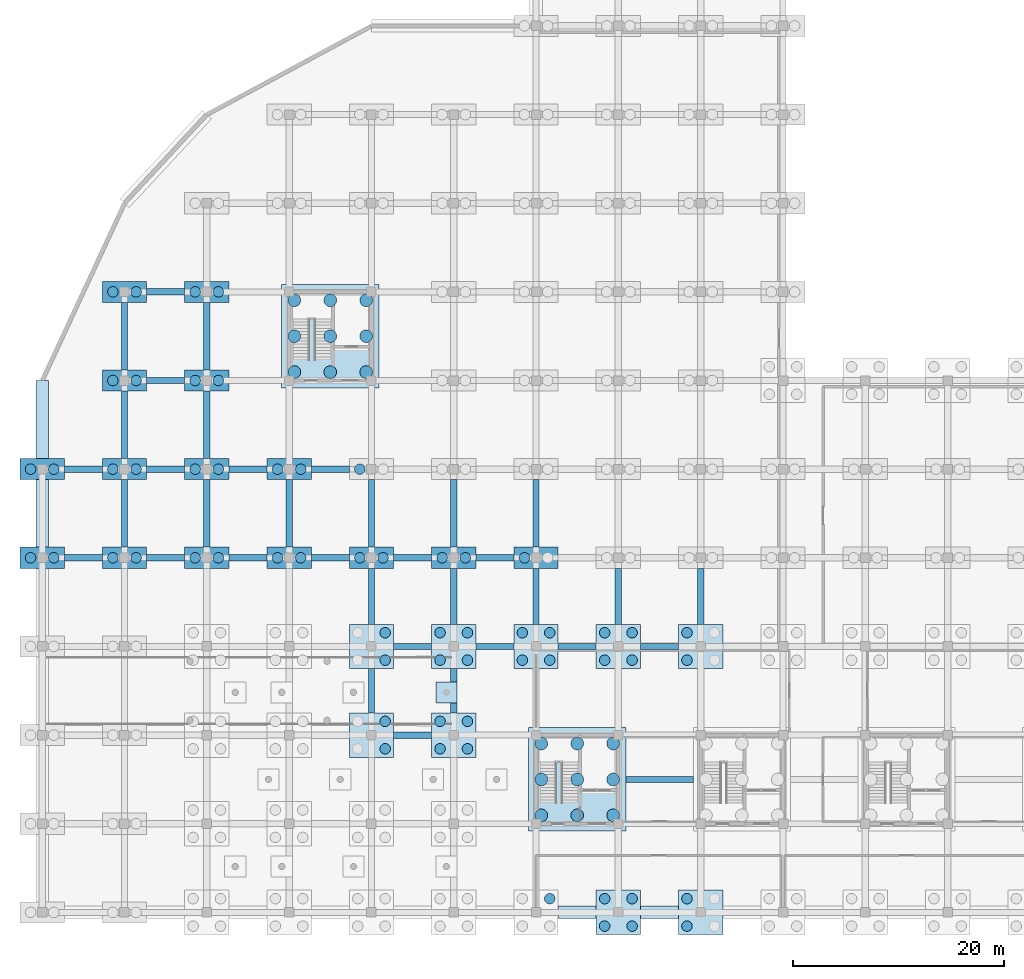
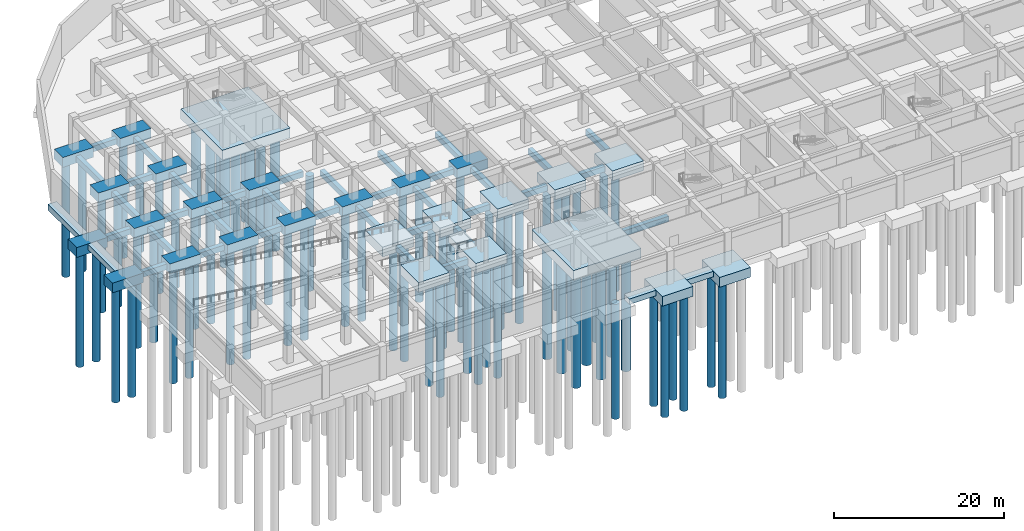
# One storey, part 2 of 31: 77 piles, 67 footings.
"""IFC4 building model written with IfcOpenShell, lengths in metres."""

from ifc_helpers import new_model, si_unit, direction, frame, origin, origin_2d, place, context, subcontext, project, spatial, rectangle, circle, extrude, material, material_profile, profile_set, type_object, element, save


model = new_model("IFC4")

# Units and contexts
model_context = context("Model", 3, precision=1e-05, world=origin(), true_north=direction((0.0, 1.0)))
body_context = subcontext(model_context, "Body", "Model", "MODEL_VIEW")
ifc_project = project(units=[si_unit("LENGTHUNIT", "METRE"), si_unit("AREAUNIT", "SQUARE_METRE"), si_unit("VOLUMEUNIT", "CUBIC_METRE"), si_unit("PLANEANGLEUNIT", "RADIAN"), si_unit("MASSUNIT", "GRAM", prefix="KILO")], contexts=[model_context])

# Site, building, storey
site_placement = place(None, origin())
site = spatial("IfcSite", under=ifc_project, at=site_placement, CompositionType="ELEMENT")
building_placement = place(site_placement, origin())
building = spatial("IfcBuilding", under=site, at=building_placement, Name="Zizhar Promenade General Hospital", CompositionType="ELEMENT")
storey_placement = place(building_placement, frame((0.0, 0.0, -4.800048828125)))
storey = spatial("IfcBuildingStorey", under=building, at=storey_placement, Name="B1", CompositionType="ELEMENT", Elevation=-4.800048828125)

# Footings
ifc_material_1 = material(Name="Concrete C30/37", Category="concrete")
footing_type_1 = type_object("IfcFootingType", Name="FTG-CAP2-4000", PredefinedType="PILE_CAP", material=ifc_material_1)
for number, where, z_axis, x_axis, name in (
    (1, (0.0, 33.60009765625, -1.39990234375), (0.0, 0.0, 1.0), (1.0, 0.0, 0.0), "Pile Cap 1-E"),
    (2, (0.0, 42.0, -1.39990234375), (0.0, 0.0, 1.0), (1.0, 0.0, 0.0), "Pile Cap 1-F"),
    (3, (7.800048828125, 33.60009765625, -1.39990234375), (0.0, 0.0, 1.0), (1.0, 0.0, 0.0), "Pile Cap 2-E"),
    (4, (7.800048828125, 42.0, -1.39990234375), (0.0, 0.0, 1.0), (1.0, 0.0, 0.0), "Pile Cap 2-F"),
    (5, (7.800048828125, 50.39990234375, -1.39990234375), (0.0, 0.0, 1.0), (1.0, 0.0, 0.0), "Pile Cap 2-G"),
    (6, (7.800048828125, 58.800048828125, -1.39990234375), (0.0, 0.0, 1.0), (1.0, 0.0, 0.0), "Pile Cap 2-H"),
    (7, (15.60009765625, 33.60009765625, -1.39990234375), (0.0, 0.0, 1.0), (1.0, 0.0, 0.0), "Pile Cap 3-E"),
    (8, (15.60009765625, 42.0, -1.39990234375), (0.0, 0.0, 1.0), (1.0, 0.0, 0.0), "Pile Cap 3-F"),
    (9, (15.60009765625, 50.39990234375, -1.39990234375), (0.0, 0.0, 1.0), (1.0, 0.0, 0.0), "Pile Cap 3-G"),
    (10, (15.60009765625, 58.800048828125, -1.39990234375), (0.0, 0.0, 1.0), (1.0, 0.0, 0.0), "Pile Cap 3-H"),
    (11, (23.39990234375, 33.60009765625, -1.39990234375), (0.0, 0.0, 1.0), (1.0, 0.0, 0.0), "Pile Cap 4-E"),
    (12, (23.39990234375, 42.0, -1.39990234375), (0.0, 0.0, 1.0), (1.0, 0.0, 0.0), "Pile Cap 4-F"),
    (13, (31.199951171875, 33.60009765625, -1.39990234375), (0.0, 0.0, 1.0), (1.0, 0.0, 0.0), "Pile Cap 5-E"),
    (14, (39.0, 33.60009765625, -1.39990234375), (0.0, 0.0, 1.0), (1.0, 0.0, 0.0), "Pile Cap 6-E"),
    (15, (46.800048828125, 33.60009765625, -1.39990234375), (0.0, 0.0, 1.0), (1.0, 0.0, 0.0), "Pile Cap 7-E"),
):
    element("IfcFooting", number, at=place(storey_placement, frame(where, z_axis=z_axis, x_axis=x_axis)), inside=storey, type_object=footing_type_1, Name=name, PredefinedType="PILE_CAP", context=body_context, shape_type="SweptSolid", body=[
        extrude(rectangle(XDim=4.199951171875, YDim=2.0, at=origin_2d()), origin(), (0.0, 0.0, 1.0), 1.39990234375),
    ])
ifc_material_2 = material(Name="Concrete C30/37", Category="concrete")
footing_type_2 = type_object("IfcFootingType", Name="FTG-CAP4-4200", PredefinedType="PILE_CAP", material=ifc_material_2)
for number, where, z_axis, x_axis, name in (
    (16, (31.199951171875, 16.800048828125, -1.39990234375), (0.0, 0.0, 1.0), (1.0, 0.0, 0.0), "Pile Cap 5-C"),
    (17, (31.199951171875, 25.199951171875, -1.39990234375), (0.0, 0.0, 1.0), (1.0, 0.0, 0.0), "Pile Cap 5-D"),
    (18, (39.0, 16.800048828125, -1.39990234375), (0.0, 0.0, 1.0), (1.0, 0.0, 0.0), "Pile Cap 6-C"),
    (19, (39.0, 25.199951171875, -1.39990234375), (0.0, 0.0, 1.0), (1.0, 0.0, 0.0), "Pile Cap 6-D"),
    (20, (46.800048828125, 25.199951171875, -1.39990234375), (0.0, 0.0, 1.0), (1.0, 0.0, 0.0), "Pile Cap 7-D"),
    (21, (54.60009765625, 0.0, -1.39990234375), (0.0, 0.0, 1.0), (1.0, 0.0, 0.0), "Pile Cap 8-A"),
    (22, (54.60009765625, 25.199951171875, -1.39990234375), (0.0, 0.0, 1.0), (1.0, 0.0, 0.0), "Pile Cap 8-D"),
    (23, (62.39990234375, 0.0, -1.39990234375), (0.0, 0.0, 1.0), (1.0, 0.0, 0.0), "Pile Cap 9-A"),
    (24, (62.39990234375, 25.199951171875, -1.39990234375), (0.0, 0.0, 1.0), (1.0, 0.0, 0.0), "Pile Cap 9-D"),
):
    element("IfcFooting", number, at=place(storey_placement, frame(where, z_axis=z_axis, x_axis=x_axis)), inside=storey, type_object=footing_type_2, Name=name, PredefinedType="PILE_CAP", context=body_context, shape_type="SweptSolid", body=[
        extrude(rectangle(XDim=4.199951171875, YDim=4.199951171875, at=origin_2d()), origin(), (0.0, 0.0, 1.0), 1.39990234375),
    ])
ifc_material_3 = material(Name="Concrete C30/37", Category="concrete")
footing_type_3 = type_object("IfcFootingType", Name="FTG-CORECAP-9200", PredefinedType="PILE_CAP", material=ifc_material_3)
for number, where, z_axis, x_axis, name in (
    (25, (27.300048828125, 54.60009765625, -1.39990234375), (0.0, 0.0, 1.0), (1.0, 0.0, 0.0), "Core C1 Pile Cap"),
    (26, (50.699951171875, 12.60009765625, -1.39990234375), (0.0, 0.0, 1.0), (1.0, 0.0, 0.0), "Core C2 Pile Cap"),
):
    element("IfcFooting", number, at=place(storey_placement, frame(where, z_axis=z_axis, x_axis=x_axis)), inside=storey, type_object=footing_type_3, Name=name, PredefinedType="PILE_CAP", context=body_context, shape_type="SweptSolid", body=[
        extrude(rectangle(XDim=9.199951171875, YDim=9.800048828125, at=origin_2d()), origin(), (0.0, 0.0, 1.0), 1.39990234375),
    ])
ifc_material_4 = material(Name="Concrete C30/37", Category="concrete")
footing_type_4 = type_object("IfcFootingType", Name="FTG-PAD-2000", PredefinedType="PAD_FOOTING", material=ifc_material_4)
footing_1_placement = place(storey_placement, frame((38.300048828125, 20.85009765625, -1.39990234375), z_axis=(0.0, 0.0, 1.0), x_axis=(1.0, 0.0, 0.0)))
element("IfcFooting", 27, at=footing_1_placement, inside=storey, type_object=footing_type_4, Name="Terrace Support Pad Footing L09-W1", PredefinedType="PAD_FOOTING", context=body_context, shape_type="SweptSolid", body=[
    extrude(rectangle(XDim=2.0, YDim=2.0, at=origin_2d()), origin(), (0.0, 0.0, 1.0), 1.0),
])
ifc_material_5 = material(Name="Concrete C30/37", Category="concrete")
ifc_material_profile_1 = material_profile(ifc_material_5, rectangle(XDim=1.199951171875, YDim=0.800048828125, at=origin_2d()))
ifc_profile_set_1 = profile_set([ifc_material_profile_1], Name="Concrete C30/37")
footing_type_5 = type_object("IfcFootingType", Name="FTG-STRIP-1200", PredefinedType="STRIP_FOOTING", material=ifc_profile_set_1)
for number, where, z_axis, x_axis, name in (
    (28, (48.89990234375, 0.0, -0.39990234375), (1.0, 0.0, 0.0), (0.0, 1.0, 0.0), "Basement Wall Strip Footing B01 (7)"),
    (29, (56.699951171875, 0.0, -0.39990234375), (1.0, 0.0, 0.0), (0.0, 1.0, 0.0), "Basement Wall Strip Footing B01 (8)"),
):
    element("IfcFooting", number, at=place(storey_placement, frame(where, z_axis=z_axis, x_axis=x_axis)), inside=storey, type_object=footing_type_5, Name=name, PredefinedType="STRIP_FOOTING", context=body_context, shape_type="SweptSolid", body=[
        extrude(rectangle(XDim=1.199951171875, YDim=0.800048828125, at=origin_2d()), origin(), (0.0, 0.0, 1.0), 3.60009765625),
    ])
footing_2_placement = place(storey_placement, frame((0.0, 50.39990234375, -0.39990234375), z_axis=(0.0, -1.0, 0.0), x_axis=(1.0, 0.0, 0.0)))
element("IfcFooting", 30, at=footing_2_placement, inside=storey, type_object=footing_type_5, Name="Basement Wall Strip Footing B13", PredefinedType="STRIP_FOOTING", context=body_context, shape_type="SweptSolid", body=[
    extrude(rectangle(XDim=1.199951171875, YDim=0.800048828125, at=origin_2d()), origin(), (0.0, 0.0, 1.0), 7.39990234375),
])
footing_3_placement = place(storey_placement, frame((0.0, 41.0, -0.39990234375), z_axis=(0.0, -1.0, 0.0), x_axis=(1.0, 0.0, 0.0)))
element("IfcFooting", 31, at=footing_3_placement, inside=storey, type_object=footing_type_5, Name="Basement Wall Strip Footing B13 (2)", PredefinedType="STRIP_FOOTING", context=body_context, shape_type="SweptSolid", body=[
    extrude(rectangle(XDim=1.199951171875, YDim=0.800048828125, at=origin_2d()), origin(), (0.0, 0.0, 1.0), 6.39990234375),
])
ifc_material_6 = material(Name="Concrete C30/37", Category="concrete")
ifc_material_profile_2 = material_profile(ifc_material_6, rectangle(XDim=0.60009765625, YDim=0.800048828125, at=origin_2d()))
ifc_profile_set_2 = profile_set([ifc_material_profile_2], Name="Concrete C30/37")
footing_type_6 = type_object("IfcFootingType", Name="FTG-TIE-600x800", PredefinedType="FOOTING_BEAM", material=ifc_profile_set_2)
for number, where, z_axis, x_axis, name in (
    (32, (2.10009765625, 33.60009765625, -0.800048828125), (1.0, 0.0, 0.0), (0.0, 1.0, 0.0), "Seismic Ground Tie Beam X-0-4"),
    (33, (2.10009765625, 42.0, -0.800048828125), (1.0, 0.0, 0.0), (0.0, 1.0, 0.0), "Seismic Ground Tie Beam X-0-5"),
):
    element("IfcFooting", number, at=place(storey_placement, frame(where, z_axis=z_axis, x_axis=x_axis)), inside=storey, type_object=footing_type_6, Name=name, PredefinedType="FOOTING_BEAM", context=body_context, shape_type="SweptSolid", body=[
        extrude(rectangle(XDim=0.60009765625, YDim=0.800048828125, at=origin_2d()), origin(), (0.0, 0.0, 1.0), 3.599853515625),
    ])
footing_4_placement = place(storey_placement, frame((9.89990234375, 33.60009765625, -0.800048828125), z_axis=(1.0, 0.0, 0.0), x_axis=(0.0, 1.0, 0.0)))
element("IfcFooting", 34, at=footing_4_placement, inside=storey, type_object=footing_type_6, Name="Seismic Ground Tie Beam X-1-4", PredefinedType="FOOTING_BEAM", context=body_context, shape_type="SweptSolid", body=[
    extrude(rectangle(XDim=0.60009765625, YDim=0.800048828125, at=origin_2d()), origin(), (0.0, 0.0, 1.0), 3.60009765625),
])
footing_5_placement = place(storey_placement, frame((7.800048828125, 34.60009765625, -0.800048828125), z_axis=(0.0, 1.0, 0.0), x_axis=(-1.0, 0.0, 0.0)))
element("IfcFooting", 35, at=footing_5_placement, inside=storey, type_object=footing_type_6, Name="Seismic Ground Tie Beam Y-1-4", PredefinedType="FOOTING_BEAM", context=body_context, shape_type="SweptSolid", body=[
    extrude(rectangle(XDim=0.60009765625, YDim=0.800048828125, at=origin_2d()), origin(), (0.0, 0.0, 1.0), 6.39990234375),
])
footing_6_placement = place(storey_placement, frame((9.89990234375, 42.0, -0.800048828125), z_axis=(1.0, 0.0, 0.0), x_axis=(0.0, 1.0, 0.0)))
element("IfcFooting", 36, at=footing_6_placement, inside=storey, type_object=footing_type_6, Name="Seismic Ground Tie Beam X-1-5", PredefinedType="FOOTING_BEAM", context=body_context, shape_type="SweptSolid", body=[
    extrude(rectangle(XDim=0.60009765625, YDim=0.800048828125, at=origin_2d()), origin(), (0.0, 0.0, 1.0), 3.60009765625),
])
footing_7_placement = place(storey_placement, frame((7.800048828125, 43.0, -0.800048828125), z_axis=(0.0, 1.0, 0.0), x_axis=(-1.0, 0.0, 0.0)))
element("IfcFooting", 37, at=footing_7_placement, inside=storey, type_object=footing_type_6, Name="Seismic Ground Tie Beam Y-1-5", PredefinedType="FOOTING_BEAM", context=body_context, shape_type="SweptSolid", body=[
    extrude(rectangle(XDim=0.60009765625, YDim=0.800048828125, at=origin_2d()), origin(), (0.0, 0.0, 1.0), 6.39990234375),
])
footing_8_placement = place(storey_placement, frame((9.89990234375, 50.39990234375, -0.800048828125), z_axis=(1.0, 0.0, 0.0), x_axis=(0.0, 1.0, 0.0)))
element("IfcFooting", 38, at=footing_8_placement, inside=storey, type_object=footing_type_6, Name="Seismic Ground Tie Beam X-1-6", PredefinedType="FOOTING_BEAM", context=body_context, shape_type="SweptSolid", body=[
    extrude(rectangle(XDim=0.60009765625, YDim=0.800048828125, at=origin_2d()), origin(), (0.0, 0.0, 1.0), 3.60009765625),
])
footing_9_placement = place(storey_placement, frame((7.800048828125, 51.39990234375, -0.800048828125), z_axis=(0.0, 1.0, 0.0), x_axis=(-1.0, 0.0, 0.0)))
element("IfcFooting", 39, at=footing_9_placement, inside=storey, type_object=footing_type_6, Name="Seismic Ground Tie Beam Y-1-6", PredefinedType="FOOTING_BEAM", context=body_context, shape_type="SweptSolid", body=[
    extrude(rectangle(XDim=0.60009765625, YDim=0.800048828125, at=origin_2d()), origin(), (0.0, 0.0, 1.0), 6.400146484375),
])
for number, where, z_axis, x_axis, name in (
    (40, (9.89990234375, 58.800048828125, -0.800048828125), (1.0, 0.0, 0.0), (0.0, 1.0, 0.0), "Seismic Ground Tie Beam X-1-7"),
    (41, (17.699951171875, 33.60009765625, -0.800048828125), (1.0, 0.0, 0.0), (0.0, 1.0, 0.0), "Seismic Ground Tie Beam X-2-4"),
):
    element("IfcFooting", number, at=place(storey_placement, frame(where, z_axis=z_axis, x_axis=x_axis)), inside=storey, type_object=footing_type_6, Name=name, PredefinedType="FOOTING_BEAM", context=body_context, shape_type="SweptSolid", body=[
        extrude(rectangle(XDim=0.60009765625, YDim=0.800048828125, at=origin_2d()), origin(), (0.0, 0.0, 1.0), 3.60009765625),
    ])
footing_10_placement = place(storey_placement, frame((15.60009765625, 34.60009765625, -0.800048828125), z_axis=(0.0, 1.0, 0.0), x_axis=(-1.0, 0.0, 0.0)))
element("IfcFooting", 42, at=footing_10_placement, inside=storey, type_object=footing_type_6, Name="Seismic Ground Tie Beam Y-2-4", PredefinedType="FOOTING_BEAM", context=body_context, shape_type="SweptSolid", body=[
    extrude(rectangle(XDim=0.60009765625, YDim=0.800048828125, at=origin_2d()), origin(), (0.0, 0.0, 1.0), 6.39990234375),
])
footing_11_placement = place(storey_placement, frame((17.699951171875, 42.0, -0.800048828125), z_axis=(1.0, 0.0, 0.0), x_axis=(0.0, 1.0, 0.0)))
element("IfcFooting", 43, at=footing_11_placement, inside=storey, type_object=footing_type_6, Name="Seismic Ground Tie Beam X-2-5", PredefinedType="FOOTING_BEAM", context=body_context, shape_type="SweptSolid", body=[
    extrude(rectangle(XDim=0.60009765625, YDim=0.800048828125, at=origin_2d()), origin(), (0.0, 0.0, 1.0), 3.60009765625),
])
footing_12_placement = place(storey_placement, frame((15.60009765625, 43.0, -0.800048828125), z_axis=(0.0, 1.0, 0.0), x_axis=(-1.0, 0.0, 0.0)))
element("IfcFooting", 44, at=footing_12_placement, inside=storey, type_object=footing_type_6, Name="Seismic Ground Tie Beam Y-2-5", PredefinedType="FOOTING_BEAM", context=body_context, shape_type="SweptSolid", body=[
    extrude(rectangle(XDim=0.60009765625, YDim=0.800048828125, at=origin_2d()), origin(), (0.0, 0.0, 1.0), 6.39990234375),
])
footing_13_placement = place(storey_placement, frame((15.60009765625, 51.39990234375, -0.800048828125), z_axis=(0.0, 1.0, 0.0), x_axis=(-1.0, 0.0, 0.0)))
element("IfcFooting", 45, at=footing_13_placement, inside=storey, type_object=footing_type_6, Name="Seismic Ground Tie Beam Y-2-6", PredefinedType="FOOTING_BEAM", context=body_context, shape_type="SweptSolid", body=[
    extrude(rectangle(XDim=0.60009765625, YDim=0.800048828125, at=origin_2d()), origin(), (0.0, 0.0, 1.0), 6.400146484375),
])
footing_14_placement = place(storey_placement, frame((25.5, 33.60009765625, -0.800048828125), z_axis=(1.0, 0.0, 0.0), x_axis=(0.0, 1.0, 0.0)))
element("IfcFooting", 46, at=footing_14_placement, inside=storey, type_object=footing_type_6, Name="Seismic Ground Tie Beam X-3-4", PredefinedType="FOOTING_BEAM", context=body_context, shape_type="SweptSolid", body=[
    extrude(rectangle(XDim=0.60009765625, YDim=0.800048828125, at=origin_2d()), origin(), (0.0, 0.0, 1.0), 3.60009765625),
])
footing_15_placement = place(storey_placement, frame((23.39990234375, 34.60009765625, -0.800048828125), z_axis=(0.0, 1.0, 0.0), x_axis=(-1.0, 0.0, 0.0)))
element("IfcFooting", 47, at=footing_15_placement, inside=storey, type_object=footing_type_6, Name="Seismic Ground Tie Beam Y-3-4", PredefinedType="FOOTING_BEAM", context=body_context, shape_type="SweptSolid", body=[
    extrude(rectangle(XDim=0.60009765625, YDim=0.800048828125, at=origin_2d()), origin(), (0.0, 0.0, 1.0), 6.39990234375),
])
footing_16_placement = place(storey_placement, frame((25.5, 42.0, -0.800048828125), z_axis=(1.0, 0.0, 0.0), x_axis=(0.0, 1.0, 0.0)))
element("IfcFooting", 48, at=footing_16_placement, inside=storey, type_object=footing_type_6, Name="Seismic Ground Tie Beam X-3-5", PredefinedType="FOOTING_BEAM", context=body_context, shape_type="SweptSolid", body=[
    extrude(rectangle(XDim=0.60009765625, YDim=0.800048828125, at=origin_2d()), origin(), (0.0, 0.0, 1.0), 3.60009765625),
])
footing_17_placement = place(storey_placement, frame((33.300048828125, 16.800048828125, -0.800048828125), z_axis=(1.0, 0.0, 0.0), x_axis=(0.0, 1.0, 0.0)))
element("IfcFooting", 49, at=footing_17_placement, inside=storey, type_object=footing_type_6, Name="Seismic Ground Tie Beam X-4-2", PredefinedType="FOOTING_BEAM", context=body_context, shape_type="SweptSolid", body=[
    extrude(rectangle(XDim=0.60009765625, YDim=0.800048828125, at=origin_2d()), origin(), (0.0, 0.0, 1.0), 3.599853515625),
])
footing_18_placement = place(storey_placement, frame((31.199951171875, 18.89990234375, -0.800048828125), z_axis=(0.0, 1.0, 0.0), x_axis=(-1.0, 0.0, 0.0)))
element("IfcFooting", 50, at=footing_18_placement, inside=storey, type_object=footing_type_6, Name="Seismic Ground Tie Beam Y-4-2", PredefinedType="FOOTING_BEAM", context=body_context, shape_type="SweptSolid", body=[
    extrude(rectangle(XDim=0.60009765625, YDim=0.800048828125, at=origin_2d()), origin(), (0.0, 0.0, 1.0), 4.2001953125),
])
footing_19_placement = place(storey_placement, frame((33.300048828125, 25.199951171875, -0.800048828125), z_axis=(1.0, 0.0, 0.0), x_axis=(0.0, 1.0, 0.0)))
element("IfcFooting", 51, at=footing_19_placement, inside=storey, type_object=footing_type_6, Name="Seismic Ground Tie Beam X-4-3", PredefinedType="FOOTING_BEAM", context=body_context, shape_type="SweptSolid", body=[
    extrude(rectangle(XDim=0.60009765625, YDim=0.800048828125, at=origin_2d()), origin(), (0.0, 0.0, 1.0), 3.599853515625),
])
footing_20_placement = place(storey_placement, frame((31.199951171875, 27.300048828125, -0.800048828125), z_axis=(0.0, 1.0, 0.0), x_axis=(-1.0, 0.0, 0.0)))
element("IfcFooting", 52, at=footing_20_placement, inside=storey, type_object=footing_type_6, Name="Seismic Ground Tie Beam Y-4-3", PredefinedType="FOOTING_BEAM", context=body_context, shape_type="SweptSolid", body=[
    extrude(rectangle(XDim=0.60009765625, YDim=0.800048828125, at=origin_2d()), origin(), (0.0, 0.0, 1.0), 5.300048828125),
])
footing_21_placement = place(storey_placement, frame((33.300048828125, 33.60009765625, -0.800048828125), z_axis=(1.0, 0.0, 0.0), x_axis=(0.0, 1.0, 0.0)))
element("IfcFooting", 53, at=footing_21_placement, inside=storey, type_object=footing_type_6, Name="Seismic Ground Tie Beam X-4-4", PredefinedType="FOOTING_BEAM", context=body_context, shape_type="SweptSolid", body=[
    extrude(rectangle(XDim=0.60009765625, YDim=0.800048828125, at=origin_2d()), origin(), (0.0, 0.0, 1.0), 3.599853515625),
])
footing_22_placement = place(storey_placement, frame((31.199951171875, 34.60009765625, -0.800048828125), z_axis=(0.0, 1.0, 0.0), x_axis=(-1.0, 0.0, 0.0)))
element("IfcFooting", 54, at=footing_22_placement, inside=storey, type_object=footing_type_6, Name="Seismic Ground Tie Beam Y-4-4", PredefinedType="FOOTING_BEAM", context=body_context, shape_type="SweptSolid", body=[
    extrude(rectangle(XDim=0.60009765625, YDim=0.800048828125, at=origin_2d()), origin(), (0.0, 0.0, 1.0), 6.39990234375),
])
footing_23_placement = place(storey_placement, frame((39.0, 18.89990234375, -0.800048828125), z_axis=(0.0, 1.0, 0.0), x_axis=(-1.0, 0.0, 0.0)))
element("IfcFooting", 55, at=footing_23_placement, inside=storey, type_object=footing_type_6, Name="Seismic Ground Tie Beam Y-5-2", PredefinedType="FOOTING_BEAM", context=body_context, shape_type="SweptSolid", body=[
    extrude(rectangle(XDim=0.60009765625, YDim=0.800048828125, at=origin_2d()), origin(), (0.0, 0.0, 1.0), 0.9501953125),
])
footing_24_placement = place(storey_placement, frame((39.0, 21.85009765625, -0.800048828125), z_axis=(0.0, 1.0, 0.0), x_axis=(-1.0, 0.0, 0.0)))
element("IfcFooting", 56, at=footing_24_placement, inside=storey, type_object=footing_type_6, Name="Seismic Ground Tie Beam Y-5-2 (2)", PredefinedType="FOOTING_BEAM", context=body_context, shape_type="SweptSolid", body=[
    extrude(rectangle(XDim=0.60009765625, YDim=0.800048828125, at=origin_2d()), origin(), (0.0, 0.0, 1.0), 1.25),
])
footing_25_placement = place(storey_placement, frame((41.10009765625, 25.199951171875, -0.800048828125), z_axis=(1.0, 0.0, 0.0), x_axis=(0.0, 1.0, 0.0)))
element("IfcFooting", 57, at=footing_25_placement, inside=storey, type_object=footing_type_6, Name="Seismic Ground Tie Beam X-5-3", PredefinedType="FOOTING_BEAM", context=body_context, shape_type="SweptSolid", body=[
    extrude(rectangle(XDim=0.60009765625, YDim=0.800048828125, at=origin_2d()), origin(), (0.0, 0.0, 1.0), 3.599853515625),
])
footing_26_placement = place(storey_placement, frame((39.0, 27.300048828125, -0.800048828125), z_axis=(0.0, 1.0, 0.0), x_axis=(-1.0, 0.0, 0.0)))
element("IfcFooting", 58, at=footing_26_placement, inside=storey, type_object=footing_type_6, Name="Seismic Ground Tie Beam Y-5-3", PredefinedType="FOOTING_BEAM", context=body_context, shape_type="SweptSolid", body=[
    extrude(rectangle(XDim=0.60009765625, YDim=0.800048828125, at=origin_2d()), origin(), (0.0, 0.0, 1.0), 5.300048828125),
])
footing_27_placement = place(storey_placement, frame((41.10009765625, 33.60009765625, -0.800048828125), z_axis=(1.0, 0.0, 0.0), x_axis=(0.0, 1.0, 0.0)))
element("IfcFooting", 59, at=footing_27_placement, inside=storey, type_object=footing_type_6, Name="Seismic Ground Tie Beam X-5-4", PredefinedType="FOOTING_BEAM", context=body_context, shape_type="SweptSolid", body=[
    extrude(rectangle(XDim=0.60009765625, YDim=0.800048828125, at=origin_2d()), origin(), (0.0, 0.0, 1.0), 3.599853515625),
])
footing_28_placement = place(storey_placement, frame((39.0, 34.60009765625, -0.800048828125), z_axis=(0.0, 1.0, 0.0), x_axis=(-1.0, 0.0, 0.0)))
element("IfcFooting", 60, at=footing_28_placement, inside=storey, type_object=footing_type_6, Name="Seismic Ground Tie Beam Y-5-4", PredefinedType="FOOTING_BEAM", context=body_context, shape_type="SweptSolid", body=[
    extrude(rectangle(XDim=0.60009765625, YDim=0.800048828125, at=origin_2d()), origin(), (0.0, 0.0, 1.0), 6.39990234375),
])
footing_29_placement = place(storey_placement, frame((48.89990234375, 25.199951171875, -0.800048828125), z_axis=(1.0, 0.0, 0.0), x_axis=(0.0, 1.0, 0.0)))
element("IfcFooting", 61, at=footing_29_placement, inside=storey, type_object=footing_type_6, Name="Seismic Ground Tie Beam X-6-3", PredefinedType="FOOTING_BEAM", context=body_context, shape_type="SweptSolid", body=[
    extrude(rectangle(XDim=0.60009765625, YDim=0.800048828125, at=origin_2d()), origin(), (0.0, 0.0, 1.0), 3.60009765625),
])
footing_30_placement = place(storey_placement, frame((46.800048828125, 27.300048828125, -0.800048828125), z_axis=(0.0, 1.0, 0.0), x_axis=(-1.0, 0.0, 0.0)))
element("IfcFooting", 62, at=footing_30_placement, inside=storey, type_object=footing_type_6, Name="Seismic Ground Tie Beam Y-6-3", PredefinedType="FOOTING_BEAM", context=body_context, shape_type="SweptSolid", body=[
    extrude(rectangle(XDim=0.60009765625, YDim=0.800048828125, at=origin_2d()), origin(), (0.0, 0.0, 1.0), 5.300048828125),
])
for number, where, z_axis, x_axis, name in (
    (63, (46.800048828125, 34.60009765625, -0.800048828125), (0.0, 1.0, 0.0), (-1.0, 0.0, 0.0), "Seismic Ground Tie Beam Y-6-4"),
    (64, (55.300048828125, 12.60009765625, -0.800048828125), (1.0, 0.0, 0.0), (0.0, 1.0, 0.0), "Seismic Ground Tie Beam X-7-1"),
):
    element("IfcFooting", number, at=place(storey_placement, frame(where, z_axis=z_axis, x_axis=x_axis)), inside=storey, type_object=footing_type_6, Name=name, PredefinedType="FOOTING_BEAM", context=body_context, shape_type="SweptSolid", body=[
        extrude(rectangle(XDim=0.60009765625, YDim=0.800048828125, at=origin_2d()), origin(), (0.0, 0.0, 1.0), 6.39990234375),
    ])
footing_31_placement = place(storey_placement, frame((56.699951171875, 25.199951171875, -0.800048828125), z_axis=(1.0, 0.0, 0.0), x_axis=(0.0, 1.0, 0.0)))
element("IfcFooting", 65, at=footing_31_placement, inside=storey, type_object=footing_type_6, Name="Seismic Ground Tie Beam X-7-3", PredefinedType="FOOTING_BEAM", context=body_context, shape_type="SweptSolid", body=[
    extrude(rectangle(XDim=0.60009765625, YDim=0.800048828125, at=origin_2d()), origin(), (0.0, 0.0, 1.0), 3.60009765625),
])
for number, where, z_axis, x_axis, name in (
    (66, (54.60009765625, 27.300048828125, -0.800048828125), (0.0, 1.0, 0.0), (-1.0, 0.0, 0.0), "Seismic Ground Tie Beam Y-7-3"),
    (67, (62.39990234375, 27.300048828125, -0.800048828125), (0.0, 1.0, 0.0), (-1.0, 0.0, 0.0), "Seismic Ground Tie Beam Y-8-3"),
):
    element("IfcFooting", number, at=place(storey_placement, frame(where, z_axis=z_axis, x_axis=x_axis)), inside=storey, type_object=footing_type_6, Name=name, PredefinedType="FOOTING_BEAM", context=body_context, shape_type="SweptSolid", body=[
        extrude(rectangle(XDim=0.60009765625, YDim=0.800048828125, at=origin_2d()), origin(), (0.0, 0.0, 1.0), 5.300048828125),
    ])

# Piles
ifc_material_7 = material(Name="Concrete C30/37", Category="concrete")
ifc_material_profile_3 = material_profile(ifc_material_7, circle(Radius=0.5, at=origin_2d()))
ifc_profile_set_3 = profile_set([ifc_material_profile_3], Name="Concrete C30/37")
pile_type_1 = type_object("IfcPileType", Name="PIL-BORED-1000", PredefinedType="BORED", material=ifc_profile_set_3)
for number, where, z_axis, x_axis, name in (
    (68, (-1.10009765625, 33.60009765625, -1.300048828125), (0.0, 0.0, -1.0), (1.0, 0.0, 0.0), "Bored Pile 1-E-1"),
    (69, (1.10009765625, 33.60009765625, -1.300048828125), (0.0, 0.0, -1.0), (1.0, 0.0, 0.0), "Bored Pile 1-E-2"),
    (70, (-1.10009765625, 42.0, -1.300048828125), (0.0, 0.0, -1.0), (1.0, 0.0, 0.0), "Bored Pile 1-F-1"),
    (71, (1.10009765625, 42.0, -1.300048828125), (0.0, 0.0, -1.0), (1.0, 0.0, 0.0), "Bored Pile 1-F-2"),
    (72, (6.699951171875, 33.60009765625, -1.300048828125), (0.0, 0.0, -1.0), (1.0, 0.0, 0.0), "Bored Pile 2-E-1"),
    (73, (8.89990234375, 33.60009765625, -1.300048828125), (0.0, 0.0, -1.0), (1.0, 0.0, 0.0), "Bored Pile 2-E-2"),
    (74, (6.699951171875, 42.0, -1.300048828125), (0.0, 0.0, -1.0), (1.0, 0.0, 0.0), "Bored Pile 2-F-1"),
    (75, (8.89990234375, 42.0, -1.300048828125), (0.0, 0.0, -1.0), (1.0, 0.0, 0.0), "Bored Pile 2-F-2"),
    (76, (6.699951171875, 50.39990234375, -1.300048828125), (0.0, 0.0, -1.0), (1.0, 0.0, 0.0), "Bored Pile 2-G-1"),
    (77, (8.89990234375, 50.39990234375, -1.300048828125), (0.0, 0.0, -1.0), (1.0, 0.0, 0.0), "Bored Pile 2-G-2"),
    (78, (6.699951171875, 58.800048828125, -1.300048828125), (0.0, 0.0, -1.0), (1.0, 0.0, 0.0), "Bored Pile 2-H-1"),
    (79, (8.89990234375, 58.800048828125, -1.300048828125), (0.0, 0.0, -1.0), (1.0, 0.0, 0.0), "Bored Pile 2-H-2"),
    (80, (14.5, 33.60009765625, -1.300048828125), (0.0, 0.0, -1.0), (1.0, 0.0, 0.0), "Bored Pile 3-E-1"),
    (81, (16.699951171875, 33.60009765625, -1.300048828125), (0.0, 0.0, -1.0), (1.0, 0.0, 0.0), "Bored Pile 3-E-2"),
    (82, (14.5, 42.0, -1.300048828125), (0.0, 0.0, -1.0), (1.0, 0.0, 0.0), "Bored Pile 3-F-1"),
    (83, (16.699951171875, 42.0, -1.300048828125), (0.0, 0.0, -1.0), (1.0, 0.0, 0.0), "Bored Pile 3-F-2"),
    (84, (14.5, 50.39990234375, -1.300048828125), (0.0, 0.0, -1.0), (1.0, 0.0, 0.0), "Bored Pile 3-G-1"),
    (85, (16.699951171875, 50.39990234375, -1.300048828125), (0.0, 0.0, -1.0), (1.0, 0.0, 0.0), "Bored Pile 3-G-2"),
    (86, (14.5, 58.800048828125, -1.300048828125), (0.0, 0.0, -1.0), (1.0, 0.0, 0.0), "Bored Pile 3-H-1"),
    (87, (16.699951171875, 58.800048828125, -1.300048828125), (0.0, 0.0, -1.0), (1.0, 0.0, 0.0), "Bored Pile 3-H-2"),
    (88, (22.300048828125, 33.60009765625, -1.300048828125), (0.0, 0.0, -1.0), (1.0, 0.0, 0.0), "Bored Pile 4-E-1"),
    (89, (24.5, 33.60009765625, -1.300048828125), (0.0, 0.0, -1.0), (1.0, 0.0, 0.0), "Bored Pile 4-E-2"),
    (90, (22.300048828125, 42.0, -1.300048828125), (0.0, 0.0, -1.0), (1.0, 0.0, 0.0), "Bored Pile 4-F-1"),
    (91, (24.5, 42.0, -1.300048828125), (0.0, 0.0, -1.0), (1.0, 0.0, 0.0), "Bored Pile 4-F-2"),
    (92, (32.5, 15.5, -1.300048828125), (0.0, 0.0, -1.0), (1.0, 0.0, 0.0), "Bored Pile 5-C-3"),
    (93, (32.5, 18.10009765625, -1.300048828125), (0.0, 0.0, -1.0), (1.0, 0.0, 0.0), "Bored Pile 5-C-4"),
    (94, (32.5, 23.89990234375, -1.300048828125), (0.0, 0.0, -1.0), (1.0, 0.0, 0.0), "Bored Pile 5-D-3"),
    (95, (32.5, 26.5, -1.300048828125), (0.0, 0.0, -1.0), (1.0, 0.0, 0.0), "Bored Pile 5-D-4"),
    (96, (30.10009765625, 33.60009765625, -1.300048828125), (0.0, 0.0, -1.0), (1.0, 0.0, 0.0), "Bored Pile 5-E-1"),
    (97, (32.300048828125, 33.60009765625, -1.300048828125), (0.0, 0.0, -1.0), (1.0, 0.0, 0.0), "Bored Pile 5-E-2"),
    (98, (30.10009765625, 42.0, -1.300048828125), (0.0, 0.0, -1.0), (1.0, 0.0, 0.0), "Bored Pile 5-F-1"),
    (99, (37.699951171875, 15.5, -1.300048828125), (0.0, 0.0, -1.0), (1.0, 0.0, 0.0), "Bored Pile 6-C-1"),
    (100, (37.699951171875, 18.10009765625, -1.300048828125), (0.0, 0.0, -1.0), (1.0, 0.0, 0.0), "Bored Pile 6-C-2"),
    (101, (40.300048828125, 15.5, -1.300048828125), (0.0, 0.0, -1.0), (1.0, 0.0, 0.0), "Bored Pile 6-C-3"),
    (102, (40.300048828125, 18.10009765625, -1.300048828125), (0.0, 0.0, -1.0), (1.0, 0.0, 0.0), "Bored Pile 6-C-4"),
    (103, (37.699951171875, 23.89990234375, -1.300048828125), (0.0, 0.0, -1.0), (1.0, 0.0, 0.0), "Bored Pile 6-D-1"),
    (104, (37.699951171875, 26.5, -1.300048828125), (0.0, 0.0, -1.0), (1.0, 0.0, 0.0), "Bored Pile 6-D-2"),
    (105, (40.300048828125, 23.89990234375, -1.300048828125), (0.0, 0.0, -1.0), (1.0, 0.0, 0.0), "Bored Pile 6-D-3"),
    (106, (40.300048828125, 26.5, -1.300048828125), (0.0, 0.0, -1.0), (1.0, 0.0, 0.0), "Bored Pile 6-D-4"),
    (107, (37.89990234375, 33.60009765625, -1.300048828125), (0.0, 0.0, -1.0), (1.0, 0.0, 0.0), "Bored Pile 6-E-1"),
    (108, (40.10009765625, 33.60009765625, -1.300048828125), (0.0, 0.0, -1.0), (1.0, 0.0, 0.0), "Bored Pile 6-E-2"),
    (109, (48.10009765625, 1.300048828125, -1.300048828125), (0.0, 0.0, -1.0), (1.0, 0.0, 0.0), "Bored Pile 7-A-4"),
    (110, (45.5, 23.89990234375, -1.300048828125), (0.0, 0.0, -1.0), (1.0, 0.0, 0.0), "Bored Pile 7-D-1"),
    (111, (45.5, 26.5, -1.300048828125), (0.0, 0.0, -1.0), (1.0, 0.0, 0.0), "Bored Pile 7-D-2"),
    (112, (48.10009765625, 23.89990234375, -1.300048828125), (0.0, 0.0, -1.0), (1.0, 0.0, 0.0), "Bored Pile 7-D-3"),
    (113, (48.10009765625, 26.5, -1.300048828125), (0.0, 0.0, -1.0), (1.0, 0.0, 0.0), "Bored Pile 7-D-4"),
    (114, (45.699951171875, 33.60009765625, -1.300048828125), (0.0, 0.0, -1.0), (1.0, 0.0, 0.0), "Bored Pile 7-E-1"),
    (115, (53.300048828125, -1.300048828125, -1.300048828125), (0.0, 0.0, -1.0), (1.0, 0.0, 0.0), "Bored Pile 8-A-1"),
    (116, (53.300048828125, 1.300048828125, -1.300048828125), (0.0, 0.0, -1.0), (1.0, 0.0, 0.0), "Bored Pile 8-A-2"),
    (117, (55.89990234375, -1.300048828125, -1.300048828125), (0.0, 0.0, -1.0), (1.0, 0.0, 0.0), "Bored Pile 8-A-3"),
    (118, (55.89990234375, 1.300048828125, -1.300048828125), (0.0, 0.0, -1.0), (1.0, 0.0, 0.0), "Bored Pile 8-A-4"),
    (119, (53.300048828125, 23.89990234375, -1.300048828125), (0.0, 0.0, -1.0), (1.0, 0.0, 0.0), "Bored Pile 8-D-1"),
    (120, (53.300048828125, 26.5, -1.300048828125), (0.0, 0.0, -1.0), (1.0, 0.0, 0.0), "Bored Pile 8-D-2"),
    (121, (55.89990234375, 23.89990234375, -1.300048828125), (0.0, 0.0, -1.0), (1.0, 0.0, 0.0), "Bored Pile 8-D-3"),
    (122, (55.89990234375, 26.5, -1.300048828125), (0.0, 0.0, -1.0), (1.0, 0.0, 0.0), "Bored Pile 8-D-4"),
    (123, (61.10009765625, -1.300048828125, -1.300048828125), (0.0, 0.0, -1.0), (1.0, 0.0, 0.0), "Bored Pile 9-A-1"),
    (124, (61.10009765625, 1.300048828125, -1.300048828125), (0.0, 0.0, -1.0), (1.0, 0.0, 0.0), "Bored Pile 9-A-2"),
    (125, (61.10009765625, 23.89990234375, -1.300048828125), (0.0, 0.0, -1.0), (1.0, 0.0, 0.0), "Bored Pile 9-D-1"),
    (126, (61.10009765625, 26.5, -1.300048828125), (0.0, 0.0, -1.0), (1.0, 0.0, 0.0), "Bored Pile 9-D-2"),
):
    element("IfcPile", number, at=place(storey_placement, frame(where, z_axis=z_axis, x_axis=x_axis)), inside=storey, type_object=pile_type_1, Name=name, PredefinedType="BORED", context=body_context, shape_type="SweptSolid", body=[
        extrude(circle(Radius=0.5, at=origin_2d()), origin(), (0.0, 0.0, 1.0), 16.5),
    ])
ifc_material_8 = material(Name="Concrete C30/37", Category="concrete")
ifc_material_profile_4 = material_profile(ifc_material_8, circle(Radius=0.60009765625, at=origin_2d()))
ifc_profile_set_4 = profile_set([ifc_material_profile_4], Name="Concrete C30/37")
pile_type_2 = type_object("IfcPileType", Name="PIL-BORED-1200", PredefinedType="BORED", material=ifc_profile_set_4)
for number, where, z_axis, x_axis, name in (
    (127, (23.89990234375, 51.199951171875, -1.300048828125), (0.0, 0.0, -1.0), (1.0, 0.0, 0.0), "Core C1 Bored Pile 01"),
    (128, (23.89990234375, 54.60009765625, -1.300048828125), (0.0, 0.0, -1.0), (1.0, 0.0, 0.0), "Core C1 Bored Pile 02"),
    (129, (23.89990234375, 58.0, -1.300048828125), (0.0, 0.0, -1.0), (1.0, 0.0, 0.0), "Core C1 Bored Pile 03"),
    (130, (27.300048828125, 51.199951171875, -1.300048828125), (0.0, 0.0, -1.0), (1.0, 0.0, 0.0), "Core C1 Bored Pile 04"),
    (131, (27.300048828125, 54.60009765625, -1.300048828125), (0.0, 0.0, -1.0), (1.0, 0.0, 0.0), "Core C1 Bored Pile 05"),
    (132, (27.300048828125, 58.0, -1.300048828125), (0.0, 0.0, -1.0), (1.0, 0.0, 0.0), "Core C1 Bored Pile 06"),
    (133, (30.699951171875, 51.199951171875, -1.300048828125), (0.0, 0.0, -1.0), (1.0, 0.0, 0.0), "Core C1 Bored Pile 07"),
    (134, (30.699951171875, 54.60009765625, -1.300048828125), (0.0, 0.0, -1.0), (1.0, 0.0, 0.0), "Core C1 Bored Pile 08"),
    (135, (30.699951171875, 58.0, -1.300048828125), (0.0, 0.0, -1.0), (1.0, 0.0, 0.0), "Core C1 Bored Pile 09"),
    (136, (47.300048828125, 9.199951171875, -1.300048828125), (0.0, 0.0, -1.0), (1.0, 0.0, 0.0), "Core C2 Bored Pile 01"),
    (137, (47.300048828125, 12.60009765625, -1.300048828125), (0.0, 0.0, -1.0), (1.0, 0.0, 0.0), "Core C2 Bored Pile 02"),
    (138, (47.300048828125, 16.0, -1.300048828125), (0.0, 0.0, -1.0), (1.0, 0.0, 0.0), "Core C2 Bored Pile 03"),
    (139, (50.699951171875, 9.199951171875, -1.300048828125), (0.0, 0.0, -1.0), (1.0, 0.0, 0.0), "Core C2 Bored Pile 04"),
    (140, (50.699951171875, 12.60009765625, -1.300048828125), (0.0, 0.0, -1.0), (1.0, 0.0, 0.0), "Core C2 Bored Pile 05"),
    (141, (50.699951171875, 16.0, -1.300048828125), (0.0, 0.0, -1.0), (1.0, 0.0, 0.0), "Core C2 Bored Pile 06"),
    (142, (54.10009765625, 9.199951171875, -1.300048828125), (0.0, 0.0, -1.0), (1.0, 0.0, 0.0), "Core C2 Bored Pile 07"),
    (143, (54.10009765625, 12.60009765625, -1.300048828125), (0.0, 0.0, -1.0), (1.0, 0.0, 0.0), "Core C2 Bored Pile 08"),
    (144, (54.10009765625, 16.0, -1.300048828125), (0.0, 0.0, -1.0), (1.0, 0.0, 0.0), "Core C2 Bored Pile 09"),
):
    element("IfcPile", number, at=place(storey_placement, frame(where, z_axis=z_axis, x_axis=x_axis)), inside=storey, type_object=pile_type_2, Name=name, PredefinedType="BORED", context=body_context, shape_type="SweptSolid", body=[
        extrude(circle(Radius=0.60009765625, at=origin_2d()), origin(), (0.0, 0.0, 1.0), 16.5),
    ])

save(model, "model.ifc")
